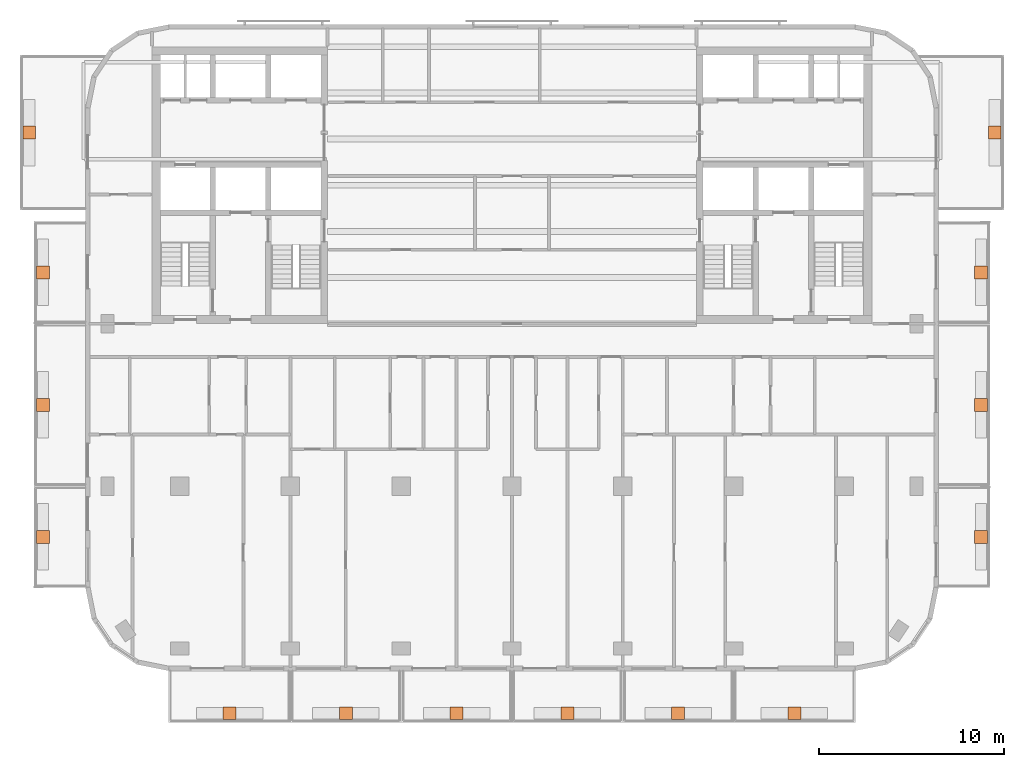
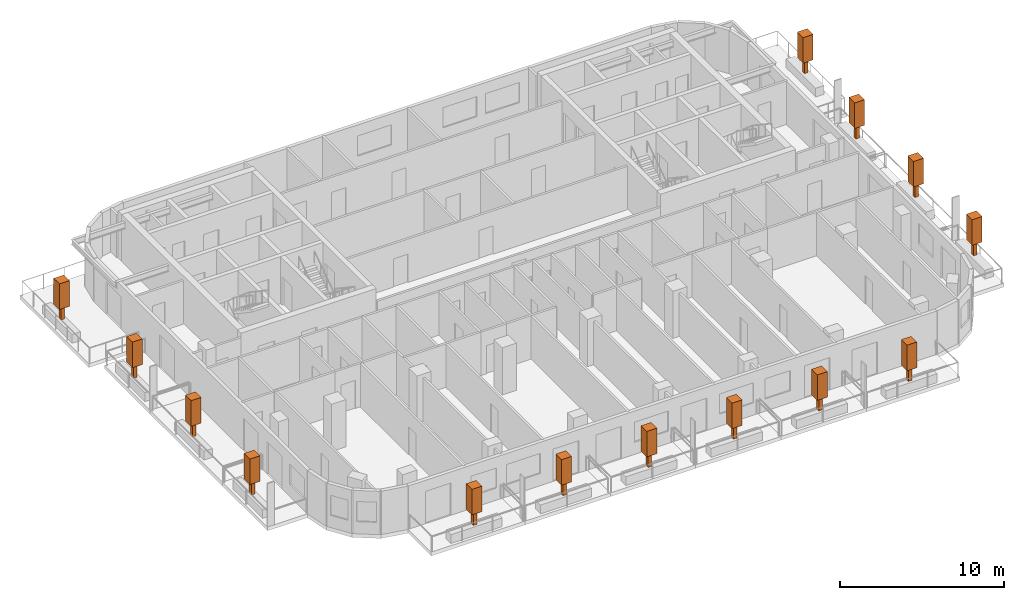
# One storey, part 11 of 11: 14 geographic elements.
"""IFC4 building model written with IfcOpenShell, lengths in metres."""

import ifcopenshell
import ifcopenshell.guid

model = None  # the IFC model being written
_history = None  # IfcOwnerHistory: only IFC2X3 demands one
_inside = {}  # id of a spatial element -> (the spatial element, [elements in it])
_under = {}  # id of a project, library or spatial element -> (it, [spatial elements below it])
_declared = {}  # id of a project -> (the project, [libraries it declares])
_typed = {}  # id of a type object -> (the type object, [elements of that type])
_made_of = {}  # id of a material, layer set ... -> (it, [elements and type objects made of it])


def new_model(schema):
    """Start an empty IFC model of exactly this schema.

    Asked for "IFC4X3", IfcOpenShell would pick the latest addendum, in which some entities
    have other attributes; the version numbers below select the first issue.
    IFC2X3 requires an IfcOwnerHistory on every rooted entity: one is made here for all.
    """
    global model, _history
    if schema == "IFC4X3":
        model = ifcopenshell.file(schema_version=(4, 3, 0, 0))
    else:
        model = ifcopenshell.file(schema=schema)
    _inside.clear()
    _under.clear()
    _declared.clear()
    _typed.clear()
    _made_of.clear()
    _history = None
    if model.schema == "IFC2X3":
        org = make("IfcOrganization", Name="unknown")
        user = make(
            "IfcPersonAndOrganization",
            ThePerson=make("IfcPerson", FamilyName="unknown"),
            TheOrganization=org,
        )
        app = make(
            "IfcApplication",
            ApplicationDeveloper=org,
            Version="unknown",
            ApplicationFullName="unknown",
            ApplicationIdentifier="unknown",
        )
        _history = make(
            "IfcOwnerHistory",
            OwningUser=user,
            OwningApplication=app,
            ChangeAction="ADDED",
            CreationDate=0,
        )
    return model


def make(cls, **values):
    """One entity of the class cls with the attributes given. An attribute that is None is left unset."""
    return model.create_entity(
        cls, **{name: value for name, value in values.items() if value is not None}
    )


def rooted(cls, **values):
    """An entity with a GlobalId (a new one), such as an element, a storey or a relation."""
    return make(cls, GlobalId=ifcopenshell.guid.new(), OwnerHistory=_history, **values)


def si_unit(unit_type, name, prefix=None):
    """IfcSIUnit, for example si_unit("LENGTHUNIT", "METRE", prefix="MILLI")."""
    return make("IfcSIUnit", UnitType=unit_type, Prefix=prefix, Name=name)


def assignment(units):
    """IfcUnitAssignment: the units of a project."""
    return None if units is None else make("IfcUnitAssignment", Units=units)


def point(xyz):
    """IfcCartesianPoint."""
    return None if xyz is None else make("IfcCartesianPoint", Coordinates=xyz)


def direction(xyz):
    """IfcDirection."""
    return None if xyz is None else make("IfcDirection", DirectionRatios=xyz)


def frame(location, z_axis=None, x_axis=None):
    """IfcAxis2Placement3D, a coordinate frame: its origin and axes. An axis left out is left unset."""
    return make(
        "IfcAxis2Placement3D",
        Location=point(location),
        Axis=direction(z_axis),
        RefDirection=direction(x_axis),
    )


def frame_2d(location, x_axis=None):
    """IfcAxis2Placement2D, a coordinate frame in the plane: its origin and x axis."""
    return make(
        "IfcAxis2Placement2D", Location=point(location), RefDirection=direction(x_axis)
    )


def origin():
    """The frame at (0, 0, 0) with its axes left unset."""
    return frame((0.0, 0.0, 0.0))


def origin_2d():
    """The frame at (0, 0) in the plane with its x axis left unset."""
    return frame_2d((0.0, 0.0))


def place(relative_to, where):
    """IfcLocalPlacement: puts the frame where relative to a parent placement (None: the world)."""
    return make(
        "IfcLocalPlacement", PlacementRelTo=relative_to, RelativePlacement=where
    )


def context(
    kind, dimensions, precision=None, world=None, true_north=None, identifier=None
):
    """IfcGeometricRepresentationContext, for example the 3D "Model" context."""
    return make(
        "IfcGeometricRepresentationContext",
        ContextIdentifier=identifier,
        ContextType=kind,
        CoordinateSpaceDimension=dimensions,
        Precision=precision,
        WorldCoordinateSystem=world,
        TrueNorth=true_north,
    )


def subcontext(parent, identifier, kind, view, scale=None):
    """IfcGeometricRepresentationSubContext, for example "Body" below "Model"."""
    return make(
        "IfcGeometricRepresentationSubContext",
        ContextIdentifier=identifier,
        ContextType=kind,
        ParentContext=parent,
        TargetScale=scale,
        TargetView=view,
    )


def project(units=None, contexts=None):
    """IfcProject with its units and contexts."""
    return rooted(
        "IfcProject",
        Name="project",
        RepresentationContexts=contexts,
        UnitsInContext=assignment(units),
    )


def spatial(cls, under=None, at=None, **own):
    """A site, building, storey or space (cls), placed at a placement, below another one or the project."""
    s = rooted(cls, ObjectPlacement=at, **own)
    if under is not None:
        _under.setdefault(under.id(), (under, []))[1].append(s)
    return s


def profile(cls, at=None, kind="AREA", **sizes):
    """A parametric profile (cls). Its sizes go by their IFC names, for example OverallWidth=200.0."""
    return make(cls, ProfileType=kind, Position=at, **sizes)


def rectangle(**sizes):
    """IfcRectangleProfileDef."""
    return profile("IfcRectangleProfileDef", **sizes)


def extrude(swept, where, along, depth):
    """IfcExtrudedAreaSolid: the profile swept, set in the frame where, extruded along a direction by depth."""
    return make(
        "IfcExtrudedAreaSolid",
        SweptArea=swept,
        Position=where,
        ExtrudedDirection=direction(along),
        Depth=depth,
    )


def shape(context_of_items, identifier, shape_type, items):
    """IfcShapeRepresentation: the items that make up one representation, for example the "Body"."""
    return make(
        "IfcShapeRepresentation",
        ContextOfItems=context_of_items,
        RepresentationIdentifier=identifier,
        RepresentationType=shape_type,
        Items=items,
    )


def material(Name=None, Category=None):
    """IfcMaterial."""
    return make("IfcMaterial", Name=Name, Category=Category)


def made_of(thing, what):
    """Note that an element or type object is made of a material, layer set ...; save() writes the relation."""
    if what is not None:
        _made_of.setdefault(what.id(), (what, []))[1].append(thing)
    return thing


def element(
    cls,
    number,
    at=None,
    inside=None,
    cuts=None,
    type_object=None,
    material=None,
    context=None,
    identifier="Body",
    shape_type=None,
    held_by="IfcProductDefinitionShape",
    body=None,
    shapes=None,
    **own,
):
    """One element of the class cls, such as IfcWall. Its Tag is "e" and its number.

    at: its placement. inside: the storey or other place that contains it. cuts: it is an
    opening in that element (IfcRelVoidsElement). A single representation is given by context,
    identifier, shape_type and body (its items); several are given by shapes. held_by: the class
    of the entity that holds the representations. save() writes the other relations.
    """
    e = rooted(cls, Tag="e%d" % number, ObjectPlacement=at, **own)
    if body is not None:
        shapes = [shape(context, identifier, shape_type, body)]
    if shapes is not None:
        e.Representation = make(held_by, Representations=shapes)
    if inside is not None:
        _inside.setdefault(inside.id(), (inside, []))[1].append(e)
    if cuts is not None:
        rooted(
            "IfcRelVoidsElement", RelatingBuildingElement=cuts, RelatedOpeningElement=e
        )
    if type_object is not None:
        _typed.setdefault(type_object.id(), (type_object, []))[1].append(e)
    return made_of(e, material)


def aggregate(whole, parts):
    """IfcRelAggregates: a whole, such as a stair, and the parts it consists of."""
    return rooted("IfcRelAggregates", RelatingObject=whole, RelatedObjects=parts)


def save(model, path):
    """Write the relations noted so far, then the file.

    IfcRelAggregates (storeys below a building ...), IfcRelContainedInSpatialStructure (elements
    in a storey), IfcRelDefinesByType, IfcRelAssociatesMaterial and IfcRelDeclares: one each for
    every whole, place, type object, material and project.
    """
    for whole, parts in _under.values():
        aggregate(whole, parts)
    for where, things in _inside.values():
        rooted(
            "IfcRelContainedInSpatialStructure",
            RelatedElements=things,
            RelatingStructure=where,
        )
    for kind, things in _typed.values():
        rooted("IfcRelDefinesByType", RelatedObjects=things, RelatingType=kind)
    for what, things in _made_of.values():
        rooted("IfcRelAssociatesMaterial", RelatedObjects=things, RelatingMaterial=what)
    for by, libraries in _declared.values():
        rooted("IfcRelDeclares", RelatingContext=by, RelatedDefinitions=libraries)
    model.write(path)


model = new_model("IFC4")

# Units and contexts
model_context = context("Model", 3, precision=1e-05, world=origin(), true_north=direction((0.0, 1.0)))
body_context = subcontext(model_context, "Body", "Model", "MODEL_VIEW")
ifc_project = project(units=[si_unit("LENGTHUNIT", "METRE"), si_unit("AREAUNIT", "SQUARE_METRE"), si_unit("VOLUMEUNIT", "CUBIC_METRE"), si_unit("PLANEANGLEUNIT", "RADIAN"), si_unit("MASSUNIT", "GRAM", prefix="KILO")], contexts=[model_context])

# Site, building, storey
site_placement = place(None, origin())
site = spatial("IfcSite", under=ifc_project, at=site_placement, CompositionType="ELEMENT")
building_placement = place(site_placement, origin())
building = spatial("IfcBuilding", under=site, at=building_placement, Name="Torana Hotel and Residences", CompositionType="ELEMENT")
storey_placement = place(building_placement, frame((0.0, 0.0, 287.60009765625)))
storey = spatial("IfcBuildingStorey", under=building, at=storey_placement, Name="L76", CompositionType="ELEMENT", Elevation=287.60009765625)

# Geographic elements
ifc_material = material(Name="Foliage", Category="planting")
for number, where, z_axis, x_axis, name in (
    (1, (-15.300048828125, -36.10009765625, 0.64990234375), (0.0, 0.0, 1.0), (1.0, 0.0, 0.0), "Tree 01"),
    (2, (-9.0, -36.10009765625, 0.64990234375), (0.0, 0.0, 1.0), (1.0, 0.0, 0.0), "Tree 02"),
    (3, (-3.0, -36.10009765625, 0.64990234375), (0.0, 0.0, 1.0), (1.0, 0.0, 0.0), "Tree 03"),
    (4, (3.0, -36.10009765625, 0.64990234375), (0.0, 0.0, 1.0), (1.0, 0.0, 0.0), "Tree 04"),
    (5, (9.0, -36.10009765625, 0.64990234375), (0.0, 0.0, 1.0), (1.0, 0.0, 0.0), "Tree 05"),
    (6, (15.300048828125, -36.10009765625, 0.64990234375), (0.0, 0.0, 1.0), (1.0, 0.0, 0.0), "Tree 06"),
    (7, (-25.39990234375, -26.550048828125, 0.64990234375), (0.0, 0.0, 1.0), (1.0, 0.0, 0.0), "Tree 07"),
    (8, (-25.39990234375, -19.39990234375, 0.64990234375), (0.0, 0.0, 1.0), (1.0, 0.0, 0.0), "Tree 08"),
    (9, (-25.39990234375, -12.22509765625, 0.64990234375), (0.0, 0.0, 1.0), (1.0, 0.0, 0.0), "Tree 09"),
    (10, (-26.14990234375, -4.64990234375, 0.64990234375), (0.0, 0.0, 1.0), (1.0, 0.0, 0.0), "Tree 10"),
    (11, (25.39990234375, -26.550048828125, 0.64990234375), (0.0, 0.0, 1.0), (1.0, 0.0, 0.0), "Tree 11"),
    (12, (25.39990234375, -19.39990234375, 0.64990234375), (0.0, 0.0, 1.0), (1.0, 0.0, 0.0), "Tree 12"),
    (13, (25.39990234375, -12.22509765625, 0.64990234375), (0.0, 0.0, 1.0), (1.0, 0.0, 0.0), "Tree 13"),
    (14, (26.14990234375, -4.64990234375, 0.64990234375), (0.0, 0.0, 1.0), (1.0, 0.0, 0.0), "Tree 14"),
):
    element("IfcGeographicElement", number, at=place(storey_placement, frame(where, z_axis=z_axis, x_axis=x_axis)), inside=storey, material=ifc_material, Name=name, ObjectType="TREE", PredefinedType="USERDEFINED", context=body_context, shape_type="SweptSolid", body=[
        extrude(rectangle(XDim=0.25, YDim=0.25, at=origin_2d()), origin(), (0.0, 0.0, 1.0), 1.0),
        extrude(rectangle(XDim=0.699951171875, YDim=0.699951171875, at=origin_2d()), frame((0.0, 0.0, 1.0)), (0.0, 0.0, 1.0), 1.89990234375),
    ])

save(model, "model.ifc")
